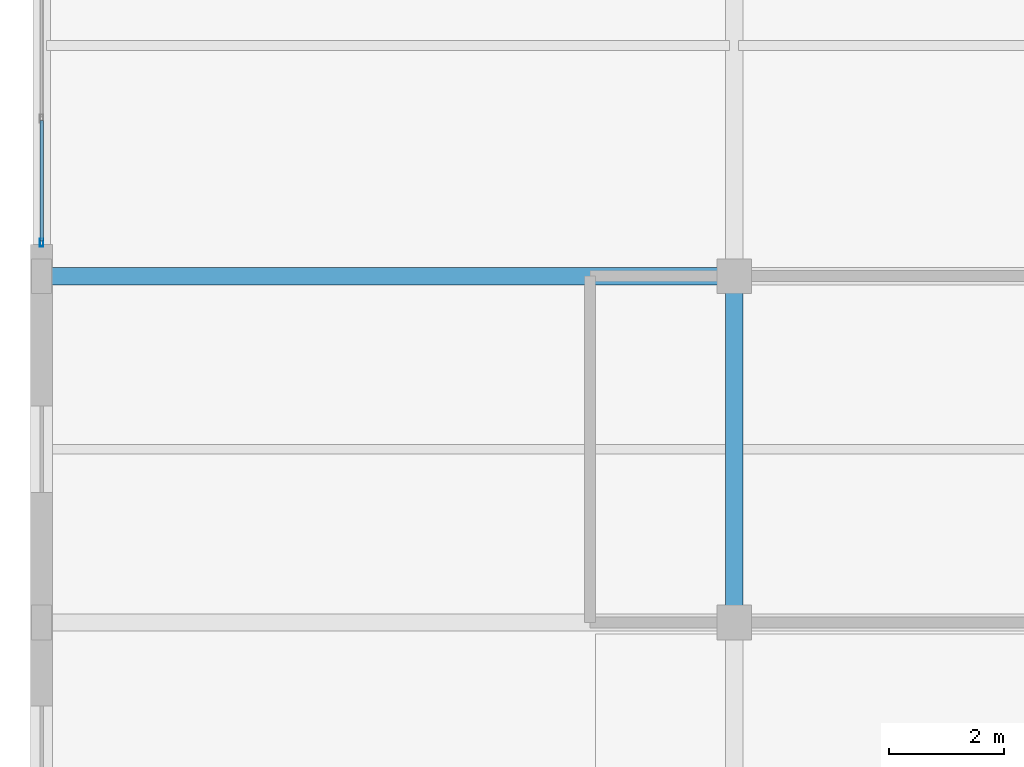
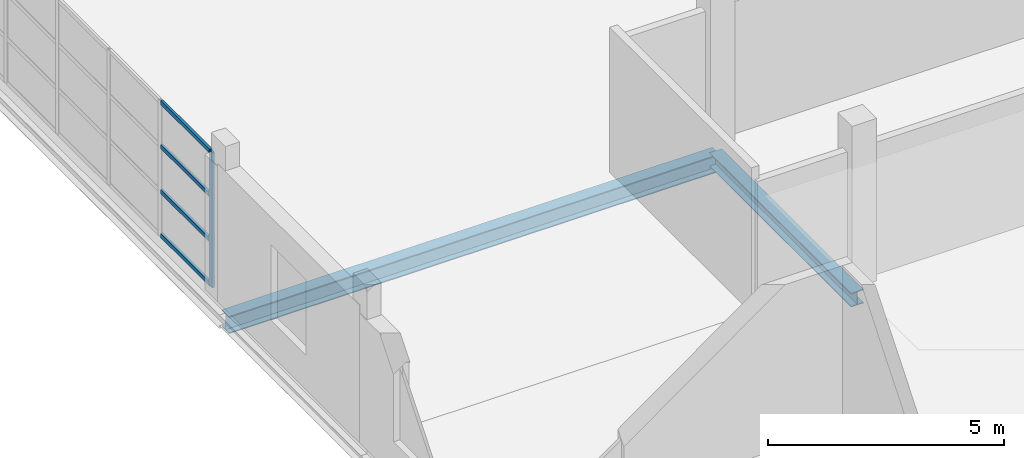
# One storey, part 64 of 147: 5 members, 2 beams, 1 element without a shape of its own.
"""IFC4 building model written with IfcOpenShell, lengths in metres."""

from ifc_helpers import new_model, si_unit, direction, frame, origin, origin_2d, place, context, subcontext, project, spatial, hollow_rectangle, i_section, extrude, material, layer, layer_set, material_profile, profile_set, type_object, element, aggregate, save


model = new_model("IFC4")

# Units and contexts
model_context = context("Model", 3, precision=1e-05, world=origin(), true_north=direction((0.0, 1.0)))
body_context = subcontext(model_context, "Body", "Model", "MODEL_VIEW")
ifc_project = project(units=[si_unit("LENGTHUNIT", "METRE"), si_unit("AREAUNIT", "SQUARE_METRE"), si_unit("VOLUMEUNIT", "CUBIC_METRE"), si_unit("PLANEANGLEUNIT", "RADIAN"), si_unit("MASSUNIT", "GRAM", prefix="KILO")], contexts=[model_context])

# Site, building, storey
site_placement = place(None, origin())
site = spatial("IfcSite", under=ifc_project, at=site_placement, CompositionType="ELEMENT")
building_placement = place(site_placement, origin())
building = spatial("IfcBuilding", under=site, at=building_placement, Name="Zilviju Railside Exhibition Hall", CompositionType="ELEMENT")
storey_placement = place(building_placement, frame((0.0, 0.0, 8.39990234375)))
storey = spatial("IfcBuildingStorey", under=building, at=storey_placement, Name="L03", CompositionType="ELEMENT", Elevation=8.39990234375)

# Beams
ifc_material_1 = material(Name="Steel S355J2", Category="steel")
ifc_material_profile_1 = material_profile(ifc_material_1, i_section(OverallWidth=0.300048828125, OverallDepth=0.360107421875, WebThickness=0.012451171875, FlangeThickness=0.0224609375, at=origin_2d()), Name="HEB 360")
ifc_profile_set_1 = profile_set([ifc_material_profile_1], Name="Steel S355J2")
beam_type_1 = type_object("IfcBeamType", Name="BM-HEB360", PredefinedType="BEAM", material=ifc_profile_set_1)
beam_1_placement = place(storey_placement, frame((12.0, 120.0, -0.52978515625), z_axis=(0.0, 1.0, 0.0), x_axis=(-1.0, 0.0, 0.0)))
element("IfcBeam", 1, at=beam_1_placement, inside=storey, type_object=beam_type_1, Name="Transverse Girder L03 X=12.0 (120.0..126.0)", PredefinedType="BEAM", context=body_context, shape_type="SweptSolid", body=[
    extrude(i_section(OverallWidth=0.300048828125, OverallDepth=0.360107421875, WebThickness=0.012451171875, FlangeThickness=0.0224609375, at=origin_2d()), origin(), (0.0, 0.0, 1.0), 6.0),
])
ifc_material_profile_2 = material_profile(ifc_material_1, i_section(OverallWidth=0.300048828125, OverallDepth=0.449951171875, WebThickness=0.013916015625, FlangeThickness=0.02587890625, at=origin_2d()), Name="HEB 450")
ifc_profile_set_2 = profile_set([ifc_material_profile_2], Name="Steel S355J2")
beam_type_2 = type_object("IfcBeamType", Name="BM-HEB450", PredefinedType="BEAM", material=ifc_profile_set_2)
beam_2_placement = place(storey_placement, frame((0.0, 126.0, -0.574951171875), z_axis=(1.0, 0.0, 0.0), x_axis=(0.0, 1.0, 0.0)))
element("IfcBeam", 2, at=beam_2_placement, inside=storey, type_object=beam_type_2, Name="Primary Girder L03 Y=126.0 (0.0..12.0)", PredefinedType="BEAM", context=body_context, shape_type="SweptSolid", body=[
    extrude(i_section(OverallWidth=0.300048828125, OverallDepth=0.449951171875, WebThickness=0.013916015625, FlangeThickness=0.02587890625, at=origin_2d()), origin(), (0.0, 0.0, 1.0), 12.0),
])

# Curtain wall, members
ifc_material_2 = material(Name="Thermally broken aluminium-steel triple-glazed curtain wall", Category="steel")
ifc_layer = layer(ifc_material_2, 0.179931640625)
ifc_layer_set = layer_set([ifc_layer], Name="Thermally broken aluminium-steel triple-glazed curtain wall")
curtain_wall_type = type_object("IfcCurtainWallType", Name="CW-BAY-05", PredefinedType="USERDEFINED", material=ifc_layer_set)
curtain_wall_placement = place(storey_placement, origin())
curtain_wall = element("IfcCurtainWall", 3, at=curtain_wall_placement, inside=storey, type_object=curtain_wall_type, Name="Organisers Wing Jugendstils Erkeri Curtain Wall L03", ObjectType="GLAZED CURTAIN WALL", PredefinedType="USERDEFINED")
ifc_material_3 = material(Name="Thermally broken anodized aluminium mullion", Category="aluminium")
ifc_material_profile_3 = material_profile(ifc_material_3, hollow_rectangle(XDim=0.06005859375, YDim=0.139892578125, WallThickness=0.0048828125, at=origin_2d()), Name="MULLION 140x60x5")
ifc_profile_set_3 = profile_set([ifc_material_profile_3], Name="Thermally broken anodized aluminium mullion")
member_type_1 = type_object("IfcMemberType", Name="CWM-60x140", PredefinedType="MULLION", material=ifc_profile_set_3)
member_1_placement = place(storey_placement, frame((0.0, 126.580078125, 0.0), z_axis=(0.0, 0.0, 1.0), x_axis=(-1.0, 0.0, 0.0)))
member_1 = element("IfcMember", 4, at=member_1_placement, type_object=member_type_1, Name="CW-05 mullion 1", PredefinedType="MULLION", context=body_context, shape_type="SweptSolid", body=[
    extrude(hollow_rectangle(XDim=0.06005859375, YDim=0.139892578125, WallThickness=0.0048828125, at=origin_2d()), origin(), (0.0, 0.0, 1.0), 3.5),
])
ifc_material_4 = material(Name="Thermally broken anodized aluminium transom", Category="aluminium")
ifc_material_profile_4 = material_profile(ifc_material_4, hollow_rectangle(XDim=0.06005859375, YDim=0.110107421875, WallThickness=0.0048828125, at=origin_2d()), Name="TRANSOM 110x60x5")
ifc_profile_set_4 = profile_set([ifc_material_profile_4], Name="Thermally broken anodized aluminium transom")
member_type_2 = type_object("IfcMemberType", Name="CWT-60x110", PredefinedType="USERDEFINED", material=ifc_profile_set_4)
member_2_placement = place(storey_placement, frame((0.0, 126.610107421875, 0.030029296875), z_axis=(0.0, 1.0, 0.0), x_axis=(-1.0, 0.0, 0.0)))
member_2 = element("IfcMember", 5, at=member_2_placement, type_object=member_type_2, Name="CW-05 transom 1.1", ObjectType="TRANSOM", PredefinedType="USERDEFINED", context=body_context, shape_type="SweptSolid", body=[
    extrude(hollow_rectangle(XDim=0.06005859375, YDim=0.110107421875, WallThickness=0.0048828125, at=origin_2d()), origin(), (0.0, 0.0, 1.0), 2.08984375),
])
member_3_placement = place(storey_placement, frame((0.0, 126.610107421875, 1.1669921875), z_axis=(0.0, 1.0, 0.0), x_axis=(-1.0, 0.0, 0.0)))
member_3 = element("IfcMember", 6, at=member_3_placement, type_object=member_type_2, Name="CW-05 transom 1.2", ObjectType="TRANSOM", PredefinedType="USERDEFINED", context=body_context, shape_type="SweptSolid", body=[
    extrude(hollow_rectangle(XDim=0.06005859375, YDim=0.110107421875, WallThickness=0.0048828125, at=origin_2d()), origin(), (0.0, 0.0, 1.0), 2.08984375),
])
member_4_placement = place(storey_placement, frame((0.0, 126.610107421875, 2.3330078125), z_axis=(0.0, 1.0, 0.0), x_axis=(-1.0, 0.0, 0.0)))
member_4 = element("IfcMember", 7, at=member_4_placement, type_object=member_type_2, Name="CW-05 transom 1.3", ObjectType="TRANSOM", PredefinedType="USERDEFINED", context=body_context, shape_type="SweptSolid", body=[
    extrude(hollow_rectangle(XDim=0.06005859375, YDim=0.110107421875, WallThickness=0.0048828125, at=origin_2d()), origin(), (0.0, 0.0, 1.0), 2.08984375),
])
member_5_placement = place(storey_placement, frame((0.0, 126.610107421875, 3.47021484375), z_axis=(0.0, 1.0, 0.0), x_axis=(-1.0, 0.0, 0.0)))
member_5 = element("IfcMember", 8, at=member_5_placement, type_object=member_type_2, Name="CW-05 transom 1.4", ObjectType="TRANSOM", PredefinedType="USERDEFINED", context=body_context, shape_type="SweptSolid", body=[
    extrude(hollow_rectangle(XDim=0.06005859375, YDim=0.110107421875, WallThickness=0.0048828125, at=origin_2d()), origin(), (0.0, 0.0, 1.0), 2.08984375),
])
aggregate(curtain_wall, [member_1, member_2, member_3, member_4, member_5])

save(model, "model.ifc")
